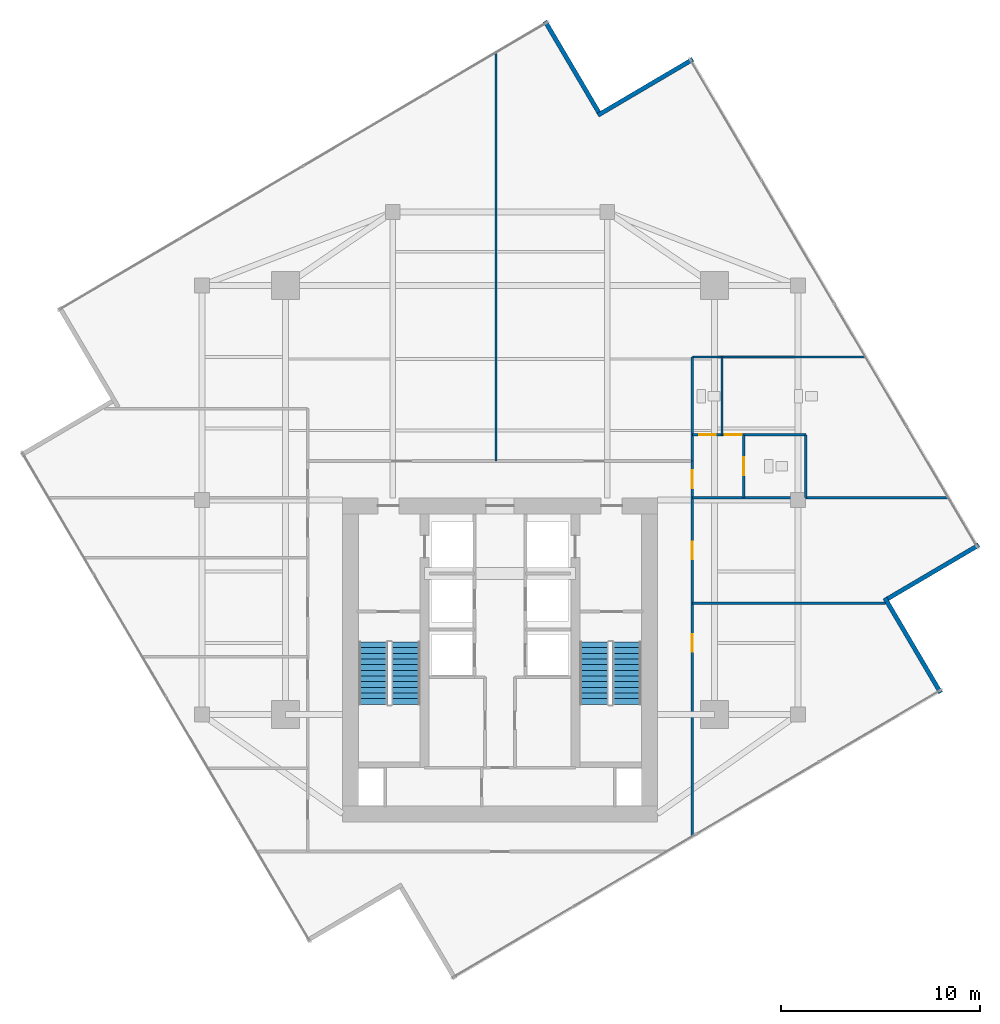
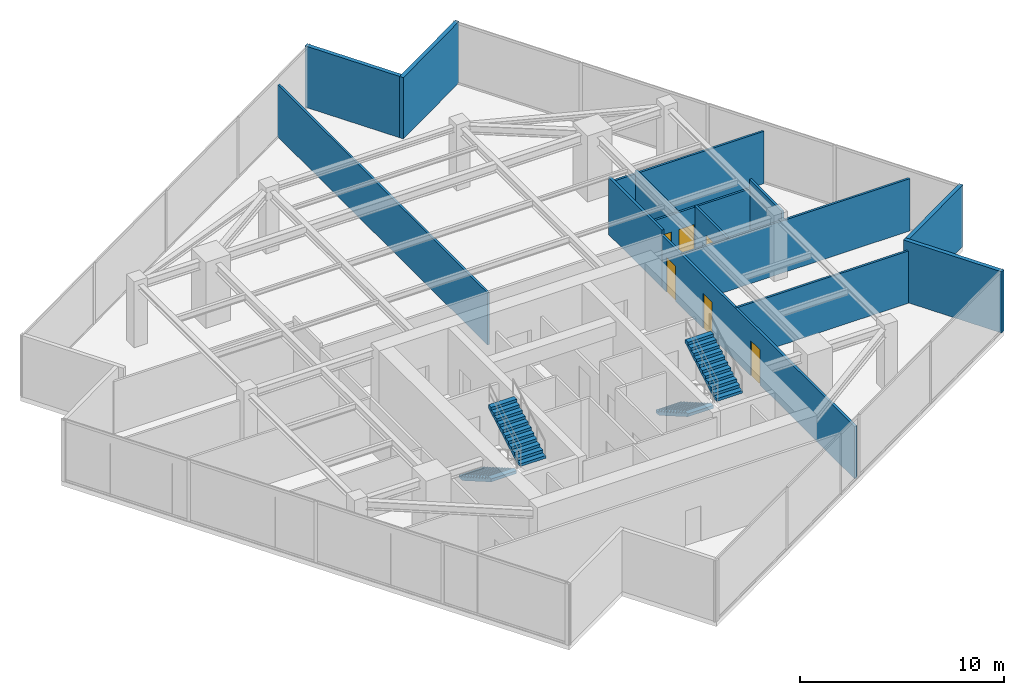
# One storey, part 18 of 20: 14 walls, 6 doors, 4 stair flights, 6 openings, 2 elements without a shape of their own.
"""IFC4 building model written with IfcOpenShell, lengths in metres."""

from ifc_helpers import new_model, si_unit, direction, frame, frame_2d, origin, place, context, subcontext, project, spatial, polyline, rectangle, outline, extrude, material, layer, layer_set, type_object, element, fill, aggregate, save


model = new_model("IFC4")

# Units and contexts
model_context = context("Model", 3, precision=1e-05, world=origin(), true_north=direction((0.0, 1.0)))
body_context = subcontext(model_context, "Body", "Model", "MODEL_VIEW")
ifc_project = project(units=[si_unit("LENGTHUNIT", "METRE"), si_unit("AREAUNIT", "SQUARE_METRE"), si_unit("VOLUMEUNIT", "CUBIC_METRE"), si_unit("PLANEANGLEUNIT", "RADIAN"), si_unit("MASSUNIT", "GRAM", prefix="KILO")], contexts=[model_context])

# Site, building, storey
site_placement = place(None, origin())
site = spatial("IfcSite", under=ifc_project, at=site_placement, CompositionType="ELEMENT")
building_placement = place(site_placement, origin())
building = spatial("IfcBuilding", under=site, at=building_placement, Name="Krantzveldt Concourse Tower", CompositionType="ELEMENT")
storey_placement = place(building_placement, frame((0.0, 0.0, 295.050048828125)))
storey = spatial("IfcBuildingStorey", under=building, at=storey_placement, Name="L72", CompositionType="ELEMENT", Elevation=295.050048828125)

# Walls
ifc_material_1 = material(Name="Anodised aluminium 6063-T6", Category="aluminium")
ifc_layer_1 = layer(ifc_material_1, 0.219970703125, Name="Anodised aluminium 6063-T6", Category="aluminium")
ifc_layer_set_1 = layer_set([ifc_layer_1], Name="Anodised aluminium 6063-T6 (WL-EXT-NOTCH220)")
wall_type_1 = type_object("IfcWallType", Name="WL-EXT-NOTCH220", PredefinedType="ELEMENTEDWALL", material=ifc_layer_set_1)
wall_1_placement = place(storey_placement, frame((40.96875, 46.223388671875, 0.0), z_axis=(0.0, 0.0, 1.0), x_axis=(-0.507540984104, 0.861627616465, 0.0)))
element("IfcWall", 1, at=wall_1_placement, inside=storey, type_object=wall_type_1, Name="EW-L72-NCH00", PredefinedType="ELEMENTEDWALL", context=body_context, shape_type="SweptSolid", body=[
    extrude(rectangle(XDim=5.324951171875, YDim=0.219970703125, at=frame_2d((2.66259765625, 0.0))), origin(), (0.0, 0.0, 1.0), 3.669921875),
])
wall_2_placement = place(storey_placement, frame((58.18701171875, 16.992431640625, 0.0), z_axis=(0.0, 0.0, 1.0), x_axis=(-0.507551078836, 0.861621670092, 0.0)))
element("IfcWall", 2, at=wall_2_placement, inside=storey, type_object=wall_type_1, Name="EW-L72-NCH08", PredefinedType="ELEMENTEDWALL", context=body_context, shape_type="SweptSolid", body=[
    extrude(rectangle(XDim=5.545166015625, YDim=0.219970703125, at=frame_2d((2.7724609375, 0.0))), origin(), (0.0, 0.0, 1.0), 3.669921875),
])
wall_3_placement = place(storey_placement, frame((55.523193359375, 21.731201171875, 0.0), z_axis=(0.0, 0.0, 1.0), x_axis=(0.861627616465, 0.507540984104, 0.0)))
element("IfcWall", 3, at=wall_3_placement, inside=storey, type_object=wall_type_1, Name="EW-L72-NCH09", PredefinedType="ELEMENTEDWALL", context=body_context, shape_type="SweptSolid", body=[
    extrude(rectangle(XDim=5.324951171875, YDim=0.219970703125, at=frame_2d((2.66259765625, 0.0))), origin(), (0.0, 0.0, 1.0), 3.669921875),
])
wall_4_placement = place(storey_placement, frame((45.70751953125, 48.886962890625, 0.0), z_axis=(0.0, 0.0, 1.0), x_axis=(-0.861640923955, -0.507518391948, 0.0)))
element("IfcWall", 4, at=wall_4_placement, inside=storey, type_object=wall_type_1, Name="EW-L72-NCH11", PredefinedType="ELEMENTEDWALL", context=body_context, shape_type="SweptSolid", body=[
    extrude(rectangle(XDim=5.544921875, YDim=0.219970703125, at=frame_2d((2.7724609375, 0.0))), origin(), (0.0, 0.0, 1.0), 3.669921875),
])
ifc_material_2 = material(Name="Fire-rated gypsum plasterboard on steel stud", Category="steel")
ifc_layer_2 = layer(ifc_material_2, 0.1201171875, Name="Fire-rated gypsum plasterboard on steel stud", Category="steel")
ifc_layer_set_2 = layer_set([ifc_layer_2], Name="Fire-rated gypsum plasterboard on steel stud (WL-PART-120)")
wall_type_2 = type_object("IfcWallType", Name="WL-PART-120", PredefinedType="PARTITIONING", material=ifc_layer_set_2)
wall_5_placement = place(storey_placement, frame((45.679931640625, 26.820068359375, 0.0), z_axis=(0.0, 0.0, 1.0), x_axis=(1.0, 0.0, 0.0)))
element("IfcWall", 5, at=wall_5_placement, inside=storey, type_object=wall_type_2, Name="WP-L72-WCBS", PredefinedType="PARTITIONING", context=body_context, shape_type="SweptSolid", body=[
    extrude(rectangle(XDim=12.892578125, YDim=0.1201171875, at=frame_2d((6.4462890625, 0.0))), origin(), (0.0, 0.0, 1.0), 3.1298828125),
])
wall_6_placement = place(storey_placement, frame((45.679931640625, 33.89990234375, 0.0), z_axis=(0.0, 0.0, 1.0), x_axis=(1.0, 0.0, 0.0)))
element("IfcWall", 6, at=wall_6_placement, inside=storey, type_object=wall_type_2, Name="WP-L72-WCBN", PredefinedType="PARTITIONING", context=body_context, shape_type="SweptSolid", body=[
    extrude(rectangle(XDim=8.72216796875, YDim=0.1201171875, at=frame_2d((4.361083984375, 0.0))), origin(), (0.0, 0.0, 1.0), 3.1298828125),
])

# Wall, openings, doors
wall_7_placement = place(storey_placement, frame((45.679931640625, 29.97998046875, 0.0), z_axis=(0.0, 0.0, 1.0), x_axis=(1.0, 0.0, 0.0)))
wall_7 = element("IfcWall", 7, at=wall_7_placement, inside=storey, type_object=wall_type_2, Name="WP-L72-WCMH", PredefinedType="PARTITIONING", context=body_context, shape_type="SweptSolid", body=[
    extrude(rectangle(XDim=5.719970703125, YDim=0.1201171875, at=frame_2d((2.85986328125, 0.0))), origin(), (0.0, 0.0, 1.0), 3.1298828125),
])
opening_1_placement = place(wall_7_placement, frame((1.64501953125, 0.0, 0.0)))
opening_1 = element("IfcOpeningElement", 8, at=opening_1_placement, cuts=wall_7, Name="Opening D-IN085", PredefinedType="OPENING", context=body_context, shape_type="SweptSolid", body=[
    extrude(rectangle(XDim=0.85009765625, YDim=2.10009765625, at=frame_2d((0.425048828125, 1.050048828125))), frame((0.0, 0.070068359375, 0.0), z_axis=(0.0, -1.0, 0.0), x_axis=(1.0, 0.0, 0.0)), (0.0, 0.0, 1.0), 0.14013671875),
])
opening_2_placement = place(wall_7_placement, frame((0.344970703125, 0.0, 0.0)))
opening_2 = element("IfcOpeningElement", 9, at=opening_2_placement, cuts=wall_7, Name="Opening D-IN085", PredefinedType="OPENING", context=body_context, shape_type="SweptSolid", body=[
    extrude(rectangle(XDim=0.85009765625, YDim=2.10009765625, at=frame_2d((0.425048828125, 1.050048828125))), frame((0.0, 0.070068359375, 0.0), z_axis=(0.0, -1.0, 0.0), x_axis=(1.0, 0.0, 0.0)), (0.0, 0.0, 1.0), 0.14013671875),
])
ifc_material_3 = material(Name="Hardwood timber", Category="wood")
door_type_1 = type_object("IfcDoorType", Name="DR-INT-850", OperationType="SINGLE_SWING_LEFT", PredefinedType="DOOR", material=ifc_material_3)
door_1_placement = place(opening_1_placement, origin())
door_1 = element("IfcDoor", 10, at=door_1_placement, inside=storey, type_object=door_type_1, Name="DR-L72-WCM", OperationType="SINGLE_SWING_RIGHT", OverallHeight=2.10009765625, OverallWidth=0.85009765625, PredefinedType="DOOR", context=body_context, shape_type="SweptSolid", body=[
    extrude(rectangle(XDim=0.85009765625, YDim=2.10009765625, at=frame_2d((0.425048828125, 1.050048828125))), frame((0.0, 0.02490234375, 0.0), z_axis=(0.0, -1.0, 0.0), x_axis=(1.0, 0.0, 0.0)), (0.0, 0.0, 1.0), 0.050048828125),
])
fill(opening_1, door_1)
door_2_placement = place(opening_2_placement, origin())
door_2 = element("IfcDoor", 11, at=door_2_placement, inside=storey, type_object=door_type_1, Name="DR-L72-WCF", OperationType="SINGLE_SWING_LEFT", OverallHeight=2.10009765625, OverallWidth=0.85009765625, PredefinedType="DOOR", context=body_context, shape_type="SweptSolid", body=[
    extrude(rectangle(XDim=0.85009765625, YDim=2.10009765625, at=frame_2d((0.425048828125, 1.050048828125))), frame((0.0, 0.02490234375, 0.0), z_axis=(0.0, -1.0, 0.0), x_axis=(1.0, 0.0, 0.0)), (0.0, 0.0, 1.0), 0.050048828125),
])
fill(opening_2, door_2)

# Wall
wall_8_placement = place(storey_placement, frame((51.39990234375, 26.820068359375, 0.0), z_axis=(0.0, 0.0, 1.0), x_axis=(0.0, 1.0, 0.0)))
element("IfcWall", 12, at=wall_8_placement, inside=storey, type_object=wall_type_2, Name="WP-L72-WCAR", PredefinedType="PARTITIONING", context=body_context, shape_type="SweptSolid", body=[
    extrude(rectangle(XDim=3.159912109375, YDim=0.1201171875, at=frame_2d((1.580078125, 0.0))), origin(), (0.0, 0.0, 1.0), 3.669921875),
])

# Wall, opening, door
wall_9_placement = place(storey_placement, frame((48.280029296875, 26.820068359375, 0.0), z_axis=(0.0, 0.0, 1.0), x_axis=(0.0, 1.0, 0.0)))
wall_9 = element("IfcWall", 13, at=wall_9_placement, inside=storey, type_object=wall_type_2, Name="WP-L72-WCAV", PredefinedType="PARTITIONING", context=body_context, shape_type="SweptSolid", body=[
    extrude(rectangle(XDim=3.159912109375, YDim=0.1201171875, at=frame_2d((1.580078125, 0.0))), origin(), (0.0, 0.0, 1.0), 3.179931640625),
])
opening_3_placement = place(wall_9_placement, frame((1.1298828125, 0.0, 0.0)))
opening_3 = element("IfcOpeningElement", 14, at=opening_3_placement, cuts=wall_9, Name="Opening D-IN090", PredefinedType="OPENING", context=body_context, shape_type="SweptSolid", body=[
    extrude(rectangle(XDim=0.89990234375, YDim=2.10009765625, at=frame_2d((0.449951171875, 1.050048828125))), frame((0.0, 0.070068359375, 0.0), z_axis=(0.0, -1.0, 0.0), x_axis=(1.0, 0.0, 0.0)), (0.0, 0.0, 1.0), 0.14013671875),
])
door_type_2 = type_object("IfcDoorType", Name="DR-INT-900", OperationType="SINGLE_SWING_LEFT", PredefinedType="DOOR", material=ifc_material_3)
door_3_placement = place(opening_3_placement, origin())
door_3 = element("IfcDoor", 15, at=door_3_placement, inside=storey, type_object=door_type_2, Name="DR-L72-WCA", OperationType="SINGLE_SWING_RIGHT", OverallHeight=2.10009765625, OverallWidth=0.89990234375, PredefinedType="DOOR", context=body_context, shape_type="SweptSolid", body=[
    extrude(rectangle(XDim=0.89990234375, YDim=2.10009765625, at=frame_2d((0.449951171875, 1.050048828125))), frame((0.0, 0.02490234375, 0.0), z_axis=(0.0, -1.0, 0.0), x_axis=(1.0, 0.0, 0.0)), (0.0, 0.0, 1.0), 0.050048828125),
])
fill(opening_3, door_3)

# Walls
wall_10_placement = place(storey_placement, frame((47.179931640625, 29.97998046875, 0.0), z_axis=(0.0, 0.0, 1.0), x_axis=(0.0, 1.0, 0.0)))
element("IfcWall", 16, at=wall_10_placement, inside=storey, type_object=wall_type_2, Name="WP-L72-WCFD", PredefinedType="PARTITIONING", context=body_context, shape_type="SweptSolid", body=[
    extrude(rectangle(XDim=3.919921875, YDim=0.1201171875, at=frame_2d((1.9599609375, 0.0))), origin(), (0.0, 0.0, 1.0), 3.31005859375),
])
wall_11_placement = place(storey_placement, frame((35.800048828125, 28.659912109375, 0.0), z_axis=(0.0, 0.0, 1.0), x_axis=(0.0, 1.0, 0.0)))
element("IfcWall", 17, at=wall_11_placement, inside=storey, type_object=wall_type_2, Name="WP-L72-ND1", PredefinedType="PARTITIONING", context=body_context, shape_type="SweptSolid", body=[
    extrude(rectangle(XDim=20.5654296875, YDim=0.1201171875, at=frame_2d((10.28271484375, 0.0))), origin(), (0.0, 0.0, 1.0), 3.1298828125),
])
wall_12_placement = place(storey_placement, frame((45.679931640625, 21.5, 0.0), z_axis=(0.0, 0.0, 1.0), x_axis=(1.0, 0.0, 0.0)))
element("IfcWall", 18, at=wall_12_placement, inside=storey, type_object=wall_type_2, Name="WP-L72-ED1", PredefinedType="PARTITIONING", context=body_context, shape_type="SweptSolid", body=[
    extrude(rectangle(XDim=9.718505859375, YDim=0.1201171875, at=frame_2d((4.859375, 0.0))), origin(), (0.0, 0.0, 1.0), 3.1298828125),
])

# Wall, openings, doors
ifc_layer_3 = layer(ifc_material_2, 0.139892578125, Name="Fire-rated gypsum plasterboard on steel stud", Category="steel")
ifc_layer_set_3 = layer_set([ifc_layer_3], Name="Fire-rated gypsum plasterboard on steel stud (WL-PART-140)")
wall_type_3 = type_object("IfcWallType", Name="WL-PART-140", PredefinedType="PARTITIONING", material=ifc_layer_set_3)
wall_13_placement = place(storey_placement, frame((45.679931640625, 9.7587890625, 0.0), z_axis=(0.0, 0.0, 1.0), x_axis=(0.0, 1.0, 0.0)))
wall_13 = element("IfcWall", 19, at=wall_13_placement, inside=storey, type_object=wall_type_3, Name="WP-L72-CEAST", PredefinedType="PARTITIONING", context=body_context, shape_type="SweptSolid", body=[
    extrude(rectangle(XDim=18.901123046875, YDim=0.139892578125, at=frame_2d((9.45068359375, 0.0))), origin(), (0.0, 0.0, 1.0), 3.1298828125),
])
opening_4_placement = place(wall_13_placement, frame((17.541259765625, 0.0, 0.0)))
opening_4 = element("IfcOpeningElement", 20, at=opening_4_placement, cuts=wall_13, Name="Opening D-IN090", PredefinedType="OPENING", context=body_context, shape_type="SweptSolid", body=[
    extrude(rectangle(XDim=0.89990234375, YDim=2.10009765625, at=frame_2d((0.449951171875, 1.050048828125))), frame((0.0, 0.080078125, 0.0), z_axis=(0.0, -1.0, 0.0), x_axis=(1.0, 0.0, 0.0)), (0.0, 0.0, 1.0), 0.159912109375),
])
opening_5_placement = place(wall_13_placement, frame((9.291259765625, 0.0, 0.0)))
opening_5 = element("IfcOpeningElement", 21, at=opening_5_placement, cuts=wall_13, Name="Opening D-IN090", PredefinedType="OPENING", context=body_context, shape_type="SweptSolid", body=[
    extrude(rectangle(XDim=0.89990234375, YDim=2.10009765625, at=frame_2d((0.449951171875, 1.050048828125))), frame((0.0, 0.080078125, 0.0), z_axis=(0.0, -1.0, 0.0), x_axis=(1.0, 0.0, 0.0)), (0.0, 0.0, 1.0), 0.159912109375),
])
opening_6_placement = place(wall_13_placement, frame((13.951171875, 0.0, 0.0)))
opening_6 = element("IfcOpeningElement", 22, at=opening_6_placement, cuts=wall_13, Name="Opening D-IN090", PredefinedType="OPENING", context=body_context, shape_type="SweptSolid", body=[
    extrude(rectangle(XDim=0.89990234375, YDim=2.10009765625, at=frame_2d((0.449951171875, 1.050048828125))), frame((0.0, 0.080078125, 0.0), z_axis=(0.0, -1.0, 0.0), x_axis=(1.0, 0.0, 0.0)), (0.0, 0.0, 1.0), 0.159912109375),
])
door_4_placement = place(opening_4_placement, origin())
door_4 = element("IfcDoor", 23, at=door_4_placement, inside=storey, type_object=door_type_2, Name="DR-L72-WCV", OperationType="SINGLE_SWING_RIGHT", OverallHeight=2.10009765625, OverallWidth=0.89990234375, PredefinedType="DOOR", context=body_context, shape_type="SweptSolid", body=[
    extrude(rectangle(XDim=0.89990234375, YDim=2.10009765625, at=frame_2d((0.449951171875, 1.050048828125))), frame((0.0, 0.02490234375, 0.0), z_axis=(0.0, -1.0, 0.0), x_axis=(1.0, 0.0, 0.0)), (0.0, 0.0, 1.0), 0.050048828125),
])
fill(opening_4, door_4)
door_5_placement = place(opening_5_placement, origin())
door_5 = element("IfcDoor", 24, at=door_5_placement, inside=storey, type_object=door_type_2, Name="DR-L72-ER1", OperationType="SINGLE_SWING_LEFT", OverallHeight=2.10009765625, OverallWidth=0.89990234375, PredefinedType="DOOR", context=body_context, shape_type="SweptSolid", body=[
    extrude(rectangle(XDim=0.89990234375, YDim=2.10009765625, at=frame_2d((0.449951171875, 1.050048828125))), frame((0.0, 0.02490234375, 0.0), z_axis=(0.0, -1.0, 0.0), x_axis=(1.0, 0.0, 0.0)), (0.0, 0.0, 1.0), 0.050048828125),
])
fill(opening_5, door_5)
door_6_placement = place(opening_6_placement, origin())
door_6 = element("IfcDoor", 25, at=door_6_placement, inside=storey, type_object=door_type_2, Name="DR-L72-ER2", OperationType="SINGLE_SWING_LEFT", OverallHeight=2.10009765625, OverallWidth=0.89990234375, PredefinedType="DOOR", context=body_context, shape_type="SweptSolid", body=[
    extrude(rectangle(XDim=0.89990234375, YDim=2.10009765625, at=frame_2d((0.449951171875, 1.050048828125))), frame((0.0, 0.02490234375, 0.0), z_axis=(0.0, -1.0, 0.0), x_axis=(1.0, 0.0, 0.0)), (0.0, 0.0, 1.0), 0.050048828125),
])
fill(opening_6, door_6)

# Wall
wall_14_placement = place(storey_placement, frame((45.679931640625, 28.659912109375, 0.0), z_axis=(0.0, 0.0, 1.0), x_axis=(0.0, 1.0, 0.0)))
element("IfcWall", 26, at=wall_14_placement, inside=storey, type_object=wall_type_3, Name="WP-L72-NER", PredefinedType="PARTITIONING", context=body_context, shape_type="SweptSolid", body=[
    extrude(rectangle(XDim=5.239990234375, YDim=0.139892578125, at=frame_2d((2.6201171875, 0.0))), origin(), (0.0, 0.0, 1.0), 3.429931640625),
])

# Stair, stair flights
ifc_material_4 = material(Name="Precast concrete C40/50", Category="concrete")
stair_type = type_object("IfcStairType", Name="STR-CORE-DOGLEG", PredefinedType="HALF_TURN_STAIR", material=ifc_material_4)
stair_1_placement = place(storey_placement, origin())
stair_1 = element("IfcStair", 27, at=stair_1_placement, inside=storey, type_object=stair_type, Name="L72 Protected Escape Stair ST-1", PredefinedType="HALF_TURN_STAIR")
stair_flight_type = type_object("IfcStairFlightType", Name="STF-CORE-1450", PredefinedType="STRAIGHT", material=ifc_material_4)
stair_flight_1_placement = place(storey_placement, frame((29.60498046875, 19.550048828125, 0.0), z_axis=(0.0, 0.0, 1.0), x_axis=(0.0, -1.0, 0.0)))
stair_flight_1 = element("IfcStairFlight", 28, at=stair_flight_1_placement, type_object=stair_flight_type, Name="ST-1 flight 1", NumberOfRisers=12, NumberOfTreads=11, PredefinedType="STRAIGHT", RiserHeight=0.164583333, TreadLength=0.285, context=body_context, shape_type="SweptSolid", body=[
    extrude(outline(polyline([(0.0, 0.0), (0.0, 0.16455078125), (0.284912109375, 0.16455078125), (0.284912109375, 0.3291015625), (0.570068359375, 0.3291015625), (0.570068359375, 0.49365234375), (0.85498046875, 0.49365234375), (0.85498046875, 0.658447265625), (1.139892578125, 0.658447265625), (1.139892578125, 0.822998046875), (1.425048828125, 0.822998046875), (1.425048828125, 0.987548828125), (1.7099609375, 0.987548828125), (1.7099609375, 1.152099609375), (1.9951171875, 1.152099609375), (1.9951171875, 1.316650390625), (2.280029296875, 1.316650390625), (2.280029296875, 1.481201171875), (2.56494140625, 1.481201171875), (2.56494140625, 1.645751953125), (2.85009765625, 1.645751953125), (2.85009765625, 1.810302734375), (3.135009765625, 1.810302734375), (3.135009765625, 1.97509765625), (3.135009765625, 1.63720703125), (0.2998046875, 0.0), (0.0, 0.0)])), frame((0.0, 0.72509765625, 0.0), z_axis=(0.0, -1.0, 0.0), x_axis=(1.0, 0.0, 0.0)), (0.0, 0.0, 1.0), 1.449951171875),
])
stair_flight_2_placement = place(storey_placement, frame((31.2548828125, 16.4150390625, 1.974853515625), z_axis=(0.0, 0.0, 1.0), x_axis=(0.0, 1.0, 0.0)))
stair_flight_2 = element("IfcStairFlight", 29, at=stair_flight_2_placement, type_object=stair_flight_type, Name="ST-1 flight 2", NumberOfRisers=12, NumberOfTreads=11, PredefinedType="STRAIGHT", RiserHeight=0.164583333, TreadLength=0.285, context=body_context, shape_type="SweptSolid", body=[
    extrude(outline(polyline([(0.0, 0.0), (0.0, 0.16455078125), (0.284912109375, 0.16455078125), (0.284912109375, 0.3291015625), (0.570068359375, 0.3291015625), (0.570068359375, 0.49365234375), (0.85498046875, 0.49365234375), (0.85498046875, 0.658447265625), (1.139892578125, 0.658447265625), (1.139892578125, 0.822998046875), (1.425048828125, 0.822998046875), (1.425048828125, 0.987548828125), (1.7099609375, 0.987548828125), (1.7099609375, 1.152099609375), (1.9951171875, 1.152099609375), (1.9951171875, 1.316650390625), (2.280029296875, 1.316650390625), (2.280029296875, 1.481201171875), (2.56494140625, 1.481201171875), (2.56494140625, 1.645751953125), (2.85009765625, 1.645751953125), (2.85009765625, 1.810302734375), (3.135009765625, 1.810302734375), (3.135009765625, 1.97509765625), (3.135009765625, 1.63720703125), (0.2998046875, 0.0), (0.0, 0.0)])), frame((0.0, 0.72509765625, 0.0), z_axis=(0.0, -1.0, 0.0), x_axis=(1.0, 0.0, 0.0)), (0.0, 0.0, 1.0), 1.449951171875),
])
aggregate(stair_1, [stair_flight_1, stair_flight_2])

stair_2_placement = place(storey_placement, origin())
stair_2 = element("IfcStair", 30, at=stair_2_placement, inside=storey, type_object=stair_type, Name="L72 Protected Escape Stair ST-2", PredefinedType="HALF_TURN_STAIR")
stair_flight_3_placement = place(storey_placement, frame((40.7451171875, 19.550048828125, 0.0), z_axis=(0.0, 0.0, 1.0), x_axis=(0.0, -1.0, 0.0)))
stair_flight_3 = element("IfcStairFlight", 31, at=stair_flight_3_placement, type_object=stair_flight_type, Name="ST-2 flight 1", NumberOfRisers=12, NumberOfTreads=11, PredefinedType="STRAIGHT", RiserHeight=0.164583333, TreadLength=0.285, context=body_context, shape_type="SweptSolid", body=[
    extrude(outline(polyline([(0.0, 0.0), (0.0, 0.16455078125), (0.284912109375, 0.16455078125), (0.284912109375, 0.3291015625), (0.570068359375, 0.3291015625), (0.570068359375, 0.49365234375), (0.85498046875, 0.49365234375), (0.85498046875, 0.658447265625), (1.139892578125, 0.658447265625), (1.139892578125, 0.822998046875), (1.425048828125, 0.822998046875), (1.425048828125, 0.987548828125), (1.7099609375, 0.987548828125), (1.7099609375, 1.152099609375), (1.9951171875, 1.152099609375), (1.9951171875, 1.316650390625), (2.280029296875, 1.316650390625), (2.280029296875, 1.481201171875), (2.56494140625, 1.481201171875), (2.56494140625, 1.645751953125), (2.85009765625, 1.645751953125), (2.85009765625, 1.810302734375), (3.135009765625, 1.810302734375), (3.135009765625, 1.97509765625), (3.135009765625, 1.63720703125), (0.2998046875, 0.0), (0.0, 0.0)])), frame((0.0, 0.72509765625, 0.0), z_axis=(0.0, -1.0, 0.0), x_axis=(1.0, 0.0, 0.0)), (0.0, 0.0, 1.0), 1.449951171875),
])
stair_flight_4_placement = place(storey_placement, frame((42.39501953125, 16.4150390625, 1.974853515625), z_axis=(0.0, 0.0, 1.0), x_axis=(0.0, 1.0, 0.0)))
stair_flight_4 = element("IfcStairFlight", 32, at=stair_flight_4_placement, type_object=stair_flight_type, Name="ST-2 flight 2", NumberOfRisers=12, NumberOfTreads=11, PredefinedType="STRAIGHT", RiserHeight=0.164583333, TreadLength=0.285, context=body_context, shape_type="SweptSolid", body=[
    extrude(outline(polyline([(0.0, 0.0), (0.0, 0.16455078125), (0.284912109375, 0.16455078125), (0.284912109375, 0.3291015625), (0.570068359375, 0.3291015625), (0.570068359375, 0.49365234375), (0.85498046875, 0.49365234375), (0.85498046875, 0.658447265625), (1.139892578125, 0.658447265625), (1.139892578125, 0.822998046875), (1.425048828125, 0.822998046875), (1.425048828125, 0.987548828125), (1.7099609375, 0.987548828125), (1.7099609375, 1.152099609375), (1.9951171875, 1.152099609375), (1.9951171875, 1.316650390625), (2.280029296875, 1.316650390625), (2.280029296875, 1.481201171875), (2.56494140625, 1.481201171875), (2.56494140625, 1.645751953125), (2.85009765625, 1.645751953125), (2.85009765625, 1.810302734375), (3.135009765625, 1.810302734375), (3.135009765625, 1.97509765625), (3.135009765625, 1.63720703125), (0.2998046875, 0.0), (0.0, 0.0)])), frame((0.0, 0.72509765625, 0.0), z_axis=(0.0, -1.0, 0.0), x_axis=(1.0, 0.0, 0.0)), (0.0, 0.0, 1.0), 1.449951171875),
])
aggregate(stair_2, [stair_flight_3, stair_flight_4])

save(model, "model.ifc")
